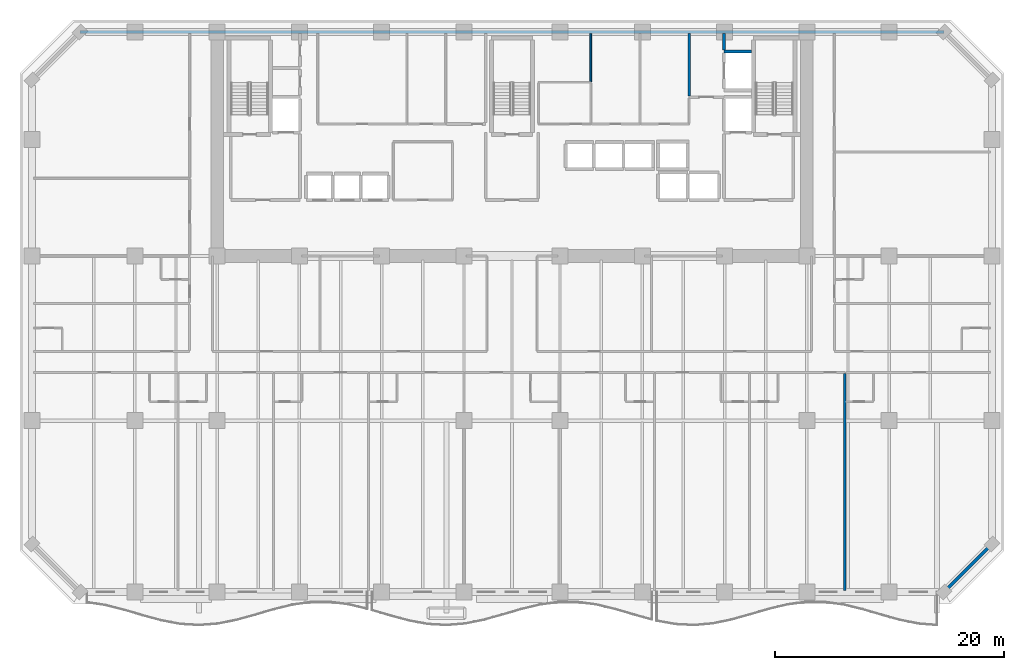
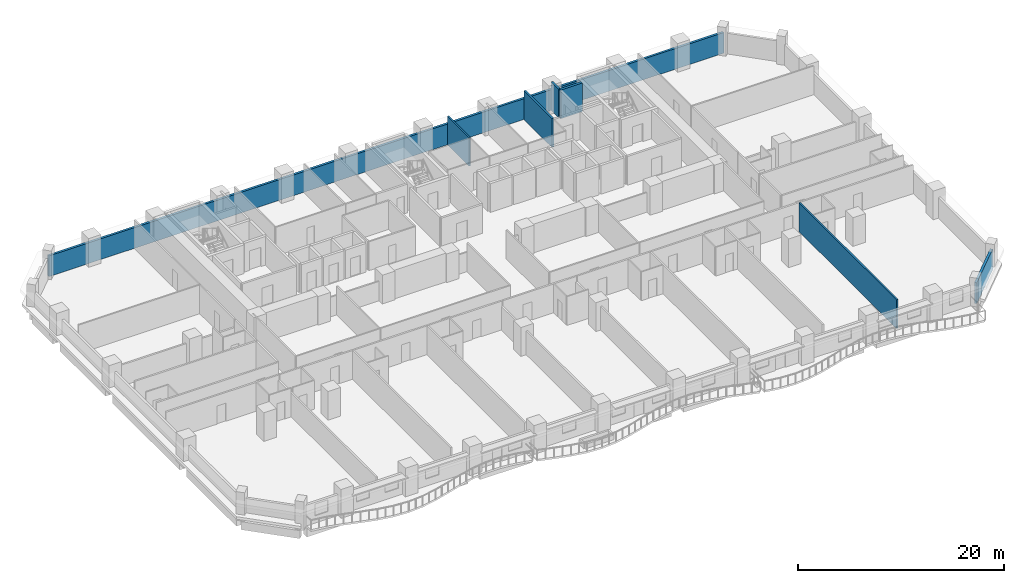
# One storey, part 8 of 14: 7 walls.
"""IFC4 building model written with IfcOpenShell, lengths in metres."""

from ifc_helpers import new_model, si_unit, direction, frame, frame_2d, origin, place, context, subcontext, project, spatial, rectangle, extrude, material, layer, layer_set, type_object, element, save


model = new_model("IFC4")

# Units and contexts
model_context = context("Model", 3, precision=1e-05, world=origin(), true_north=direction((0.0, 1.0)))
body_context = subcontext(model_context, "Body", "Model", "MODEL_VIEW")
ifc_project = project(units=[si_unit("LENGTHUNIT", "METRE"), si_unit("AREAUNIT", "SQUARE_METRE"), si_unit("VOLUMEUNIT", "CUBIC_METRE"), si_unit("PLANEANGLEUNIT", "RADIAN"), si_unit("MASSUNIT", "GRAM", prefix="KILO")], contexts=[model_context])

# Site, building, storey
site_placement = place(None, origin())
site = spatial("IfcSite", under=ifc_project, at=site_placement, CompositionType="ELEMENT")
building_placement = place(site_placement, origin())
building = spatial("IfcBuilding", under=site, at=building_placement, Name="Kaelvorn Grand Hotel", CompositionType="ELEMENT")
storey_placement = place(building_placement, frame((0.0, 0.0, 76.39990234375)))
storey = spatial("IfcBuildingStorey", under=building, at=storey_placement, Name="L17", CompositionType="ELEMENT", Elevation=76.39990234375)

# Walls
ifc_material_1 = material(Name="Concrete C40/50", Category="concrete")
ifc_layer_1 = layer(ifc_material_1, 0.260009765625)
ifc_layer_set_1 = layer_set([ifc_layer_1], Name="Concrete C40/50")
wall_type_1 = type_object("IfcWallType", Name="WL-EXT-260-C40", PredefinedType="SOLIDWALL", material=ifc_layer_set_1)
wall_1_placement = place(storey_placement, frame((79.800048828125, 0.0, 0.0), z_axis=(0.0, 0.0, 1.0), x_axis=(0.707106781187, 0.707106781187, 0.0)))
element("IfcWall", 1, at=wall_1_placement, inside=storey, type_object=wall_type_1, Name="L17 Exterior Architectural Concrete Wall 02", PredefinedType="SOLIDWALL", context=body_context, shape_type="SweptSolid", body=[
    extrude(rectangle(XDim=5.939697265625, YDim=0.260009765625, at=frame_2d((2.9697265625, 0.0))), origin(), (0.0, 0.0, 1.0), 2.4501953125),
])
wall_2_placement = place(storey_placement, frame((79.800048828125, 49.0, 0.0), z_axis=(0.0, 0.0, 1.0), x_axis=(-1.0, 0.0, 0.0)))
element("IfcWall", 2, at=wall_2_placement, inside=storey, type_object=wall_type_1, Name="L17 Exterior Architectural Concrete Wall 05", PredefinedType="SOLIDWALL", context=body_context, shape_type="SweptSolid", body=[
    extrude(rectangle(XDim=75.60009765625, YDim=0.260009765625, at=frame_2d((37.800048828125, 0.0))), origin(), (0.0, 0.0, 1.0), 2.4501953125),
])
ifc_material_2 = material(Name="Acoustic Gypsum & Stud Partition")
ifc_layer_2 = layer(ifc_material_2, 0.14990234375)
ifc_layer_set_2 = layer_set([ifc_layer_2], Name="Acoustic Gypsum & Stud Partition")
wall_type_2 = type_object("IfcWallType", Name="WL-PART-150-EI60", PredefinedType="PARTITIONING", material=ifc_layer_set_2)
wall_3_placement = place(storey_placement, frame((48.89990234375, 44.66748046875, 0.0), z_axis=(0.0, 0.0, 1.0), x_axis=(0.0, 1.0, 0.0)))
element("IfcWall", 3, at=wall_3_placement, inside=storey, type_object=wall_type_2, Name="L17 Minibar & Glassware Store W Partition", PredefinedType="PARTITIONING", context=body_context, shape_type="SweptSolid", body=[
    extrude(rectangle(XDim=4.1826171875, YDim=0.14990234375, at=frame_2d((2.09130859375, 0.0))), origin(), (0.0, 0.0, 1.0), 3.400146484375),
])
ifc_layer_3 = layer(ifc_material_2, 0.179931640625)
ifc_layer_set_3 = layer_set([ifc_layer_3], Name="Acoustic Gypsum & Stud Partition")
wall_type_3 = type_object("IfcWallType", Name="WL-PART-180-EI60", PredefinedType="PARTITIONING", material=ifc_layer_set_3)
wall_4_placement = place(storey_placement, frame((71.1162109375, 0.14990234375, 0.0), z_axis=(0.0, 0.0, 1.0), x_axis=(0.0, 1.0, 0.0)))
element("IfcWall", 4, at=wall_4_placement, inside=storey, type_object=wall_type_3, Name="L17 Deluxe Panoramic Suite L17-08 E Partition", PredefinedType="PARTITIONING", context=body_context, shape_type="SweptSolid", body=[
    extrude(rectangle(XDim=18.955078125, YDim=0.179931640625, at=frame_2d((9.4775390625, 0.0))), origin(), (0.0, 0.0, 1.0), 3.400146484375),
])
ifc_layer_4 = layer(ifc_material_1, 0.219970703125)
ifc_layer_set_4 = layer_set([ifc_layer_4], Name="Concrete C40/50")
wall_type_4 = type_object("IfcWallType", Name="WL-PART-220-EI120", PredefinedType="PARTITIONING", material=ifc_layer_set_4)
wall_5_placement = place(storey_placement, frame((57.5, 43.4150390625, 0.0), z_axis=(0.0, 0.0, 1.0), x_axis=(0.0, 1.0, 0.0)))
element("IfcWall", 5, at=wall_5_placement, inside=storey, type_object=wall_type_4, Name="L17 Service Lift Lobby W Partition", PredefinedType="PARTITIONING", context=body_context, shape_type="SweptSolid", body=[
    extrude(rectangle(XDim=5.43505859375, YDim=0.219970703125, at=frame_2d((2.717529296875, 0.0))), origin(), (0.0, 0.0, 1.0), 3.400146484375),
])
wall_6_placement = place(storey_placement, frame((60.550048828125, 47.445068359375, 0.0), z_axis=(0.0, 0.0, 1.0), x_axis=(0.0, 1.0, 0.0)))
element("IfcWall", 6, at=wall_6_placement, inside=storey, type_object=wall_type_4, Name="L17 Service Lift Lobby E Partition", PredefinedType="PARTITIONING", context=body_context, shape_type="SweptSolid", body=[
    extrude(rectangle(XDim=1.405029296875, YDim=0.219970703125, at=frame_2d((0.70263671875, 0.0))), origin(), (0.0, 0.0, 1.0), 3.400146484375),
])
ifc_material_3 = material(Name="Concrete C50/60", Category="concrete")
ifc_layer_5 = layer(ifc_material_3, 0.280029296875)
ifc_layer_set_5 = layer_set([ifc_layer_5], Name="Concrete C50/60")
wall_type_5 = type_object("IfcWallType", Name="WL-SHAFT-280-C50", PredefinedType="SHEAR", material=ifc_layer_set_5)
wall_7_placement = place(storey_placement, frame((60.550048828125, 47.300048828125, 0.0), z_axis=(0.0, 0.0, 1.0), x_axis=(1.0, 0.0, 0.0)))
element("IfcWall", 7, at=wall_7_placement, inside=storey, type_object=wall_type_5, Name="L17 Lift SV1 Shaft North Wall", PredefinedType="SHEAR", context=body_context, shape_type="SweptSolid", body=[
    extrude(rectangle(XDim=2.4150390625, YDim=0.280029296875, at=frame_2d((1.20751953125, 0.0))), origin(), (0.0, 0.0, 1.0), 3.400146484375),
])

save(model, "model.ifc")
